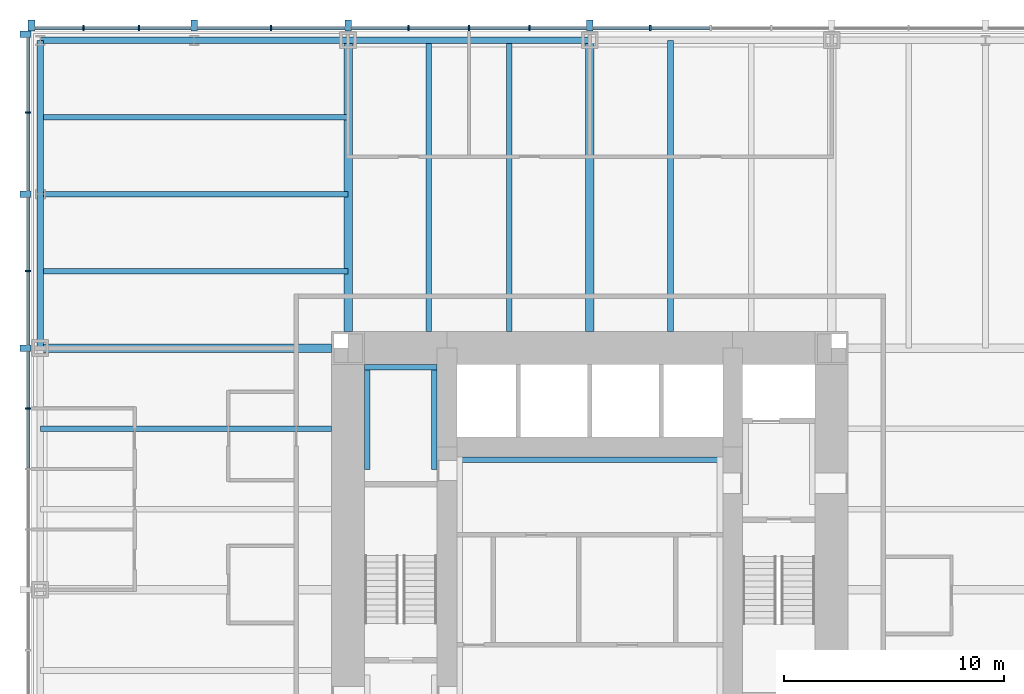
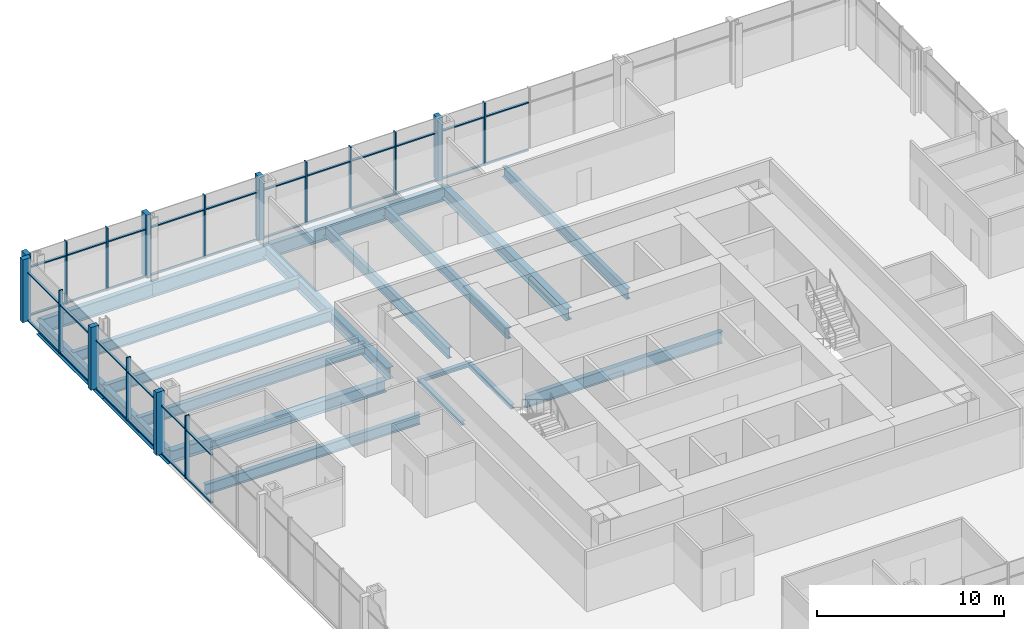
# One storey, part 5 of 12: 51 members, 19 beams, 2 elements without a shape of their own.
"""IFC4 building model written with IfcOpenShell, lengths in metres."""

from ifc_helpers import new_model, si_unit, direction, frame, origin, origin_2d, place, context, subcontext, project, spatial, rectangle, i_section, extrude, material, material_profile, profile_set, type_object, element, aggregate, save


model = new_model("IFC4")

# Units and contexts
model_context = context("Model", 3, precision=1e-05, world=origin(), true_north=direction((0.0, 1.0)))
body_context = subcontext(model_context, "Body", "Model", "MODEL_VIEW")
ifc_project = project(units=[si_unit("LENGTHUNIT", "METRE"), si_unit("AREAUNIT", "SQUARE_METRE"), si_unit("VOLUMEUNIT", "CUBIC_METRE"), si_unit("PLANEANGLEUNIT", "RADIAN"), si_unit("MASSUNIT", "GRAM", prefix="KILO")], contexts=[model_context])

# Site, building, storey
site_placement = place(None, origin())
site = spatial("IfcSite", under=ifc_project, at=site_placement, CompositionType="ELEMENT")
building_placement = place(site_placement, origin())
building = spatial("IfcBuilding", under=site, at=building_placement, Name="Trevanion Tower", CompositionType="ELEMENT")
storey_placement = place(building_placement, frame((0.0, 0.0, 65.199951171875)))
storey = spatial("IfcBuildingStorey", under=building, at=storey_placement, Name="L15", CompositionType="ELEMENT", Elevation=65.199951171875)

# Beams
ifc_material_1 = material(Name="Steel ASTM A992 Grade 50", Category="steel")
ifc_material_profile_1 = material_profile(ifc_material_1, i_section(OverallWidth=0.25390625, OverallDepth=0.700927734375, WebThickness=0.015380859375, FlangeThickness=0.02783203125, at=origin_2d()), Name="W27X129")
ifc_profile_set_1 = profile_set([ifc_material_profile_1], Name="Steel ASTM A992 Grade 50")
beam_type_1 = type_object("IfcBeamType", Name="B3 W27X129", PredefinedType="BEAM", material=ifc_profile_set_1)
for number, where, z_axis, x_axis, name in (
    (1, (3.666748046875, 11.75, -0.54052734375), (0.0, 1.0, 0.0), (-1.0, 0.0, 0.0), "B3 L15"),
    (2, (-3.666748046875, 11.75, -0.54052734375), (0.0, 1.0, 0.0), (-1.0, 0.0, 0.0), "B3 L15"),
    (3, (-7.333251953125, 11.75, -0.54052734375), (0.0, 1.0, 0.0), (-1.0, 0.0, 0.0), "B3 L15"),
    (4, (-11.75, 7.333251953125, -0.54052734375), (-1.0, 0.0, 0.0), (0.0, -1.0, 0.0), "B3 L15"),
):
    element("IfcBeam", number, at=place(storey_placement, frame(where, z_axis=z_axis, x_axis=x_axis)), inside=storey, type_object=beam_type_1, Name=name, PredefinedType="BEAM", context=body_context, shape_type="SweptSolid", body=[
        extrude(i_section(OverallWidth=0.25390625, OverallDepth=0.700927734375, WebThickness=0.015380859375, FlangeThickness=0.02783203125, at=origin_2d()), origin(), (0.0, 0.0, 1.0), 13.25),
    ])
ifc_material_2 = material(Name="Steel ASTM A992 Grade 50", Category="steel")
ifc_material_profile_2 = material_profile(ifc_material_2, i_section(OverallWidth=0.256591796875, OverallDepth=0.693359375, WebThickness=0.014404296875, FlangeThickness=0.023681640625, at=origin_2d()), Name="W27X114")
ifc_profile_set_2 = profile_set([ifc_material_profile_2], Name="Steel ASTM A992 Grade 50")
beam_type_2 = type_object("IfcBeamType", Name="B4 W27X114", PredefinedType="BEAM", material=ifc_profile_set_2)
for number, where, z_axis, x_axis, name in (
    (5, (-11.0, 14.5, -0.53662109375), (-1.0, 0.0, 0.0), (0.0, -1.0, 0.0), "B4 L15"),
    (6, (-11.0, 18.0, -0.53662109375), (-1.0, 0.0, 0.0), (0.0, -1.0, 0.0), "B4 L15"),
    (7, (-11.0, 21.5, -0.53662109375), (-1.0, 0.0, 0.0), (0.0, -1.0, 0.0), "B4 L15"),
):
    element("IfcBeam", number, at=place(storey_placement, frame(where, z_axis=z_axis, x_axis=x_axis)), inside=storey, type_object=beam_type_2, Name=name, PredefinedType="BEAM", context=body_context, shape_type="SweptSolid", body=[
        extrude(i_section(OverallWidth=0.256591796875, OverallDepth=0.693359375, WebThickness=0.014404296875, FlangeThickness=0.023681640625, at=origin_2d()), origin(), (0.0, 0.0, 1.0), 14.0),
    ])

# Curtain wall, members
ifc_material_3 = material(Name="Aluminium and glass", Category="aluminium")
curtain_wall_type = type_object("IfcCurtainWallType", Name="CW1 curtain wall", PredefinedType="USERDEFINED", material=ifc_material_3)
curtain_wall_1_placement = place(storey_placement, origin())
curtain_wall_1 = element("IfcCurtainWall", 8, at=curtain_wall_1_placement, inside=storey, type_object=curtain_wall_type, Name="CW1 L15 1", ObjectType="UNITISED CURTAIN WALL", PredefinedType="USERDEFINED")
ifc_material_4 = material(Name="Aluminium extrusion, anodised bronze", Category="aluminium")
ifc_material_profile_3 = material_profile(ifc_material_4, rectangle(XDim=0.074951171875, YDim=0.25, at=origin_2d()), Name="CW1 mullion")
ifc_profile_set_3 = profile_set([ifc_material_profile_3], Name="Aluminium extrusion, anodised bronze")
member_type_1 = type_object("IfcMemberType", Name="CW1 mullion", PredefinedType="MULLION", material=ifc_profile_set_3)
member_1_placement = place(storey_placement, frame((2.75, 25.550048828125, -0.18994140625), z_axis=(0.0, 0.0, 1.0), x_axis=(-1.0, 0.0, 0.0)))
member_1 = element("IfcMember", 9, at=member_1_placement, type_object=member_type_1, Name="CW1 mullion 8", PredefinedType="MULLION", context=body_context, shape_type="SweptSolid", body=[
    extrude(rectangle(XDim=0.074951171875, YDim=0.25, at=origin_2d()), origin(), (0.0, 0.0, 1.0), 4.10009765625),
])
member_2_placement = place(storey_placement, frame((-2.75, 25.550048828125, -0.18994140625), z_axis=(0.0, 0.0, 1.0), x_axis=(-1.0, 0.0, 0.0)))
member_2 = element("IfcMember", 10, at=member_2_placement, type_object=member_type_1, Name="CW1 mullion 10", PredefinedType="MULLION", context=body_context, shape_type="SweptSolid", body=[
    extrude(rectangle(XDim=0.074951171875, YDim=0.25, at=origin_2d()), origin(), (0.0, 0.0, 1.0), 4.10009765625),
])
member_3_placement = place(storey_placement, frame((-5.5, 25.550048828125, -0.18994140625), z_axis=(0.0, 0.0, 1.0), x_axis=(-1.0, 0.0, 0.0)))
member_3 = element("IfcMember", 11, at=member_3_placement, type_object=member_type_1, Name="CW1 mullion 11", PredefinedType="MULLION", context=body_context, shape_type="SweptSolid", body=[
    extrude(rectangle(XDim=0.074951171875, YDim=0.25, at=origin_2d()), origin(), (0.0, 0.0, 1.0), 4.10009765625),
])
member_4_placement = place(storey_placement, frame((-8.25, 25.550048828125, -0.18994140625), z_axis=(0.0, 0.0, 1.0), x_axis=(-1.0, 0.0, 0.0)))
member_4 = element("IfcMember", 12, at=member_4_placement, type_object=member_type_1, Name="CW1 mullion 12", PredefinedType="MULLION", context=body_context, shape_type="SweptSolid", body=[
    extrude(rectangle(XDim=0.074951171875, YDim=0.25, at=origin_2d()), origin(), (0.0, 0.0, 1.0), 4.10009765625),
])
member_5_placement = place(storey_placement, frame((-14.5, 25.550048828125, -0.18994140625), z_axis=(0.0, 0.0, 1.0), x_axis=(-1.0, 0.0, 0.0)))
member_5 = element("IfcMember", 13, at=member_5_placement, type_object=member_type_1, Name="CW1 mullion 14", PredefinedType="MULLION", context=body_context, shape_type="SweptSolid", body=[
    extrude(rectangle(XDim=0.074951171875, YDim=0.25, at=origin_2d()), origin(), (0.0, 0.0, 1.0), 4.10009765625),
])
member_6_placement = place(storey_placement, frame((-20.5166015625, 25.550048828125, -0.18994140625), z_axis=(0.0, 0.0, 1.0), x_axis=(-1.0, 0.0, 0.0)))
member_6 = element("IfcMember", 14, at=member_6_placement, type_object=member_type_1, Name="CW1 mullion 16", PredefinedType="MULLION", context=body_context, shape_type="SweptSolid", body=[
    extrude(rectangle(XDim=0.074951171875, YDim=0.25, at=origin_2d()), origin(), (0.0, 0.0, 1.0), 4.10009765625),
])
member_7_placement = place(storey_placement, frame((-23.033203125, 25.550048828125, -0.18994140625), z_axis=(0.0, 0.0, 1.0), x_axis=(-1.0, 0.0, 0.0)))
member_7 = element("IfcMember", 15, at=member_7_placement, type_object=member_type_1, Name="CW1 mullion 17", PredefinedType="MULLION", context=body_context, shape_type="SweptSolid", body=[
    extrude(rectangle(XDim=0.074951171875, YDim=0.25, at=origin_2d()), origin(), (0.0, 0.0, 1.0), 4.10009765625),
])

curtain_wall_2_placement = place(storey_placement, origin())
curtain_wall_2 = element("IfcCurtainWall", 16, at=curtain_wall_2_placement, inside=storey, type_object=curtain_wall_type, Name="CW1 L15 2", ObjectType="UNITISED CURTAIN WALL", PredefinedType="USERDEFINED")
member_8_placement = place(storey_placement, frame((-25.550048828125, 21.7099609375, -0.18994140625), z_axis=(0.0, 0.0, 1.0), x_axis=(0.0, -1.0, 0.0)))
member_8 = element("IfcMember", 17, at=member_8_placement, type_object=member_type_1, Name="CW1 mullion 2", PredefinedType="MULLION", context=body_context, shape_type="SweptSolid", body=[
    extrude(rectangle(XDim=0.074951171875, YDim=0.25, at=origin_2d()), origin(), (0.0, 0.0, 1.0), 4.10009765625),
])
member_9_placement = place(storey_placement, frame((-25.550048828125, 14.5, -0.18994140625), z_axis=(0.0, 0.0, 1.0), x_axis=(0.0, -1.0, 0.0)))
member_9 = element("IfcMember", 18, at=member_9_placement, type_object=member_type_1, Name="CW1 mullion 4", PredefinedType="MULLION", context=body_context, shape_type="SweptSolid", body=[
    extrude(rectangle(XDim=0.074951171875, YDim=0.25, at=origin_2d()), origin(), (0.0, 0.0, 1.0), 4.10009765625),
])
member_10_placement = place(storey_placement, frame((-25.550048828125, 8.25, -0.18994140625), z_axis=(0.0, 0.0, 1.0), x_axis=(0.0, -1.0, 0.0)))
member_10 = element("IfcMember", 19, at=member_10_placement, type_object=member_type_1, Name="CW1 mullion 6", PredefinedType="MULLION", context=body_context, shape_type="SweptSolid", body=[
    extrude(rectangle(XDim=0.074951171875, YDim=0.25, at=origin_2d()), origin(), (0.0, 0.0, 1.0), 4.10009765625),
])

# Member
ifc_material_5 = material(Name="Aluminium extrusion, anodised bronze", Category="aluminium")
ifc_material_profile_4 = material_profile(ifc_material_5, rectangle(XDim=0.300048828125, YDim=0.5, at=origin_2d()), Name="CW1 pier mullion")
ifc_profile_set_4 = profile_set([ifc_material_profile_4], Name="Aluminium extrusion, anodised bronze")
member_type_2 = type_object("IfcMemberType", Name="CW1 pier mullion", PredefinedType="MULLION", material=ifc_profile_set_4)
member_11_placement = place(storey_placement, frame((0.0, 25.675048828125, -0.18994140625), z_axis=(0.0, 0.0, 1.0), x_axis=(-1.0, 0.0, 0.0)))
member_11 = element("IfcMember", 20, at=member_11_placement, type_object=member_type_2, Name="CW1 pier mullion 9", PredefinedType="MULLION", context=body_context, shape_type="SweptSolid", body=[
    extrude(rectangle(XDim=0.300048828125, YDim=0.5, at=origin_2d()), origin(), (0.0, 0.0, 1.0), 4.10009765625),
])

member_12_placement = place(storey_placement, frame((-11.0, 25.675048828125, -0.18994140625), z_axis=(0.0, 0.0, 1.0), x_axis=(-1.0, 0.0, 0.0)))
member_12 = element("IfcMember", 21, at=member_12_placement, type_object=member_type_2, Name="CW1 pier mullion 13", PredefinedType="MULLION", context=body_context, shape_type="SweptSolid", body=[
    extrude(rectangle(XDim=0.300048828125, YDim=0.5, at=origin_2d()), origin(), (0.0, 0.0, 1.0), 4.10009765625),
])

member_13_placement = place(storey_placement, frame((-18.0, 25.675048828125, -0.18994140625), z_axis=(0.0, 0.0, 1.0), x_axis=(-1.0, 0.0, 0.0)))
member_13 = element("IfcMember", 22, at=member_13_placement, type_object=member_type_2, Name="CW1 pier mullion 15", PredefinedType="MULLION", context=body_context, shape_type="SweptSolid", body=[
    extrude(rectangle(XDim=0.300048828125, YDim=0.5, at=origin_2d()), origin(), (0.0, 0.0, 1.0), 4.10009765625),
])

member_14_placement = place(storey_placement, frame((-25.39990234375, 25.675048828125, -0.18994140625), z_axis=(0.0, 0.0, 1.0), x_axis=(-1.0, 0.0, 0.0)))
member_14 = element("IfcMember", 23, at=member_14_placement, type_object=member_type_2, Name="CW1 pier mullion 18", PredefinedType="MULLION", context=body_context, shape_type="SweptSolid", body=[
    extrude(rectangle(XDim=0.300048828125, YDim=0.5, at=origin_2d()), origin(), (0.0, 0.0, 1.0), 4.10009765625),
])

member_15_placement = place(storey_placement, frame((-25.675048828125, 25.27001953125, -0.18994140625), z_axis=(0.0, 0.0, 1.0), x_axis=(0.0, -1.0, 0.0)))
member_15 = element("IfcMember", 24, at=member_15_placement, type_object=member_type_2, Name="CW1 pier mullion 1", PredefinedType="MULLION", context=body_context, shape_type="SweptSolid", body=[
    extrude(rectangle(XDim=0.300048828125, YDim=0.5, at=origin_2d()), origin(), (0.0, 0.0, 1.0), 4.10009765625),
])

member_16_placement = place(storey_placement, frame((-25.675048828125, 18.0, -0.18994140625), z_axis=(0.0, 0.0, 1.0), x_axis=(0.0, -1.0, 0.0)))
member_16 = element("IfcMember", 25, at=member_16_placement, type_object=member_type_2, Name="CW1 pier mullion 3", PredefinedType="MULLION", context=body_context, shape_type="SweptSolid", body=[
    extrude(rectangle(XDim=0.300048828125, YDim=0.5, at=origin_2d()), origin(), (0.0, 0.0, 1.0), 4.10009765625),
])

member_17_placement = place(storey_placement, frame((-25.675048828125, 11.0, -0.18994140625), z_axis=(0.0, 0.0, 1.0), x_axis=(0.0, -1.0, 0.0)))
member_17 = element("IfcMember", 26, at=member_17_placement, type_object=member_type_2, Name="CW1 pier mullion 5", PredefinedType="MULLION", context=body_context, shape_type="SweptSolid", body=[
    extrude(rectangle(XDim=0.300048828125, YDim=0.5, at=origin_2d()), origin(), (0.0, 0.0, 1.0), 4.10009765625),
])

ifc_material_6 = material(Name="Aluminium extrusion, anodised bronze", Category="aluminium")
ifc_material_profile_5 = material_profile(ifc_material_6, rectangle(XDim=0.14990234375, YDim=0.074951171875, at=origin_2d()), Name="CW1 transom")
ifc_profile_set_5 = profile_set([ifc_material_profile_5], Name="Aluminium extrusion, anodised bronze")
member_type_3 = type_object("IfcMemberType", Name="CW1 transom", PredefinedType="USERDEFINED", material=ifc_profile_set_5)
member_18_placement = place(storey_placement, frame((5.46240234375, 25.550048828125, -0.15234375), z_axis=(-1.0, 0.0, 0.0), x_axis=(0.0, -1.0, 0.0)))
member_18 = element("IfcMember", 27, at=member_18_placement, type_object=member_type_3, Name="CW1 transom 7.1", ObjectType="TRANSOM", PredefinedType="USERDEFINED", context=body_context, shape_type="SweptSolid", body=[
    extrude(rectangle(XDim=0.14990234375, YDim=0.074951171875, at=origin_2d()), origin(), (0.0, 0.0, 1.0), 2.6748046875),
])

member_19_placement = place(storey_placement, frame((5.46240234375, 25.550048828125, 2.9599609375), z_axis=(-1.0, 0.0, 0.0), x_axis=(0.0, -1.0, 0.0)))
member_19 = element("IfcMember", 28, at=member_19_placement, type_object=member_type_3, Name="CW1 transom 7.2", ObjectType="TRANSOM", PredefinedType="USERDEFINED", context=body_context, shape_type="SweptSolid", body=[
    extrude(rectangle(XDim=0.14990234375, YDim=0.074951171875, at=origin_2d()), origin(), (0.0, 0.0, 1.0), 2.6748046875),
])

member_20_placement = place(storey_placement, frame((2.71240234375, 25.550048828125, -0.15234375), z_axis=(-1.0, 0.0, 0.0), x_axis=(0.0, -1.0, 0.0)))
member_20 = element("IfcMember", 29, at=member_20_placement, type_object=member_type_3, Name="CW1 transom 8.1", ObjectType="TRANSOM", PredefinedType="USERDEFINED", context=body_context, shape_type="SweptSolid", body=[
    extrude(rectangle(XDim=0.14990234375, YDim=0.074951171875, at=origin_2d()), origin(), (0.0, 0.0, 1.0), 2.5625),
])

member_21_placement = place(storey_placement, frame((2.71240234375, 25.550048828125, 2.9599609375), z_axis=(-1.0, 0.0, 0.0), x_axis=(0.0, -1.0, 0.0)))
member_21 = element("IfcMember", 30, at=member_21_placement, type_object=member_type_3, Name="CW1 transom 8.2", ObjectType="TRANSOM", PredefinedType="USERDEFINED", context=body_context, shape_type="SweptSolid", body=[
    extrude(rectangle(XDim=0.14990234375, YDim=0.074951171875, at=origin_2d()), origin(), (0.0, 0.0, 1.0), 2.5625),
])

member_22_placement = place(storey_placement, frame((-0.14990234375, 25.550048828125, -0.15234375), z_axis=(-1.0, 0.0, 0.0), x_axis=(0.0, -1.0, 0.0)))
member_22 = element("IfcMember", 31, at=member_22_placement, type_object=member_type_3, Name="CW1 transom 9.1", ObjectType="TRANSOM", PredefinedType="USERDEFINED", context=body_context, shape_type="SweptSolid", body=[
    extrude(rectangle(XDim=0.14990234375, YDim=0.074951171875, at=origin_2d()), origin(), (0.0, 0.0, 1.0), 2.5625),
])

member_23_placement = place(storey_placement, frame((-0.14990234375, 25.550048828125, 2.9599609375), z_axis=(-1.0, 0.0, 0.0), x_axis=(0.0, -1.0, 0.0)))
member_23 = element("IfcMember", 32, at=member_23_placement, type_object=member_type_3, Name="CW1 transom 9.2", ObjectType="TRANSOM", PredefinedType="USERDEFINED", context=body_context, shape_type="SweptSolid", body=[
    extrude(rectangle(XDim=0.14990234375, YDim=0.074951171875, at=origin_2d()), origin(), (0.0, 0.0, 1.0), 2.5625),
])

member_24_placement = place(storey_placement, frame((-2.78759765625, 25.550048828125, -0.15234375), z_axis=(-1.0, 0.0, 0.0), x_axis=(0.0, -1.0, 0.0)))
member_24 = element("IfcMember", 33, at=member_24_placement, type_object=member_type_3, Name="CW1 transom 10.1", ObjectType="TRANSOM", PredefinedType="USERDEFINED", context=body_context, shape_type="SweptSolid", body=[
    extrude(rectangle(XDim=0.14990234375, YDim=0.074951171875, at=origin_2d()), origin(), (0.0, 0.0, 1.0), 2.6748046875),
])

member_25_placement = place(storey_placement, frame((-2.78759765625, 25.550048828125, 2.9599609375), z_axis=(-1.0, 0.0, 0.0), x_axis=(0.0, -1.0, 0.0)))
member_25 = element("IfcMember", 34, at=member_25_placement, type_object=member_type_3, Name="CW1 transom 10.2", ObjectType="TRANSOM", PredefinedType="USERDEFINED", context=body_context, shape_type="SweptSolid", body=[
    extrude(rectangle(XDim=0.14990234375, YDim=0.074951171875, at=origin_2d()), origin(), (0.0, 0.0, 1.0), 2.6748046875),
])

member_26_placement = place(storey_placement, frame((-5.53759765625, 25.550048828125, -0.15234375), z_axis=(-1.0, 0.0, 0.0), x_axis=(0.0, -1.0, 0.0)))
member_26 = element("IfcMember", 35, at=member_26_placement, type_object=member_type_3, Name="CW1 transom 11.1", ObjectType="TRANSOM", PredefinedType="USERDEFINED", context=body_context, shape_type="SweptSolid", body=[
    extrude(rectangle(XDim=0.14990234375, YDim=0.074951171875, at=origin_2d()), origin(), (0.0, 0.0, 1.0), 2.6748046875),
])

member_27_placement = place(storey_placement, frame((-5.53759765625, 25.550048828125, 2.9599609375), z_axis=(-1.0, 0.0, 0.0), x_axis=(0.0, -1.0, 0.0)))
member_27 = element("IfcMember", 36, at=member_27_placement, type_object=member_type_3, Name="CW1 transom 11.2", ObjectType="TRANSOM", PredefinedType="USERDEFINED", context=body_context, shape_type="SweptSolid", body=[
    extrude(rectangle(XDim=0.14990234375, YDim=0.074951171875, at=origin_2d()), origin(), (0.0, 0.0, 1.0), 2.6748046875),
])

member_28_placement = place(storey_placement, frame((-8.28759765625, 25.550048828125, -0.15234375), z_axis=(-1.0, 0.0, 0.0), x_axis=(0.0, -1.0, 0.0)))
member_28 = element("IfcMember", 37, at=member_28_placement, type_object=member_type_3, Name="CW1 transom 12.1", ObjectType="TRANSOM", PredefinedType="USERDEFINED", context=body_context, shape_type="SweptSolid", body=[
    extrude(rectangle(XDim=0.14990234375, YDim=0.074951171875, at=origin_2d()), origin(), (0.0, 0.0, 1.0), 2.5625),
])

member_29_placement = place(storey_placement, frame((-8.28759765625, 25.550048828125, 2.9599609375), z_axis=(-1.0, 0.0, 0.0), x_axis=(0.0, -1.0, 0.0)))
member_29 = element("IfcMember", 38, at=member_29_placement, type_object=member_type_3, Name="CW1 transom 12.2", ObjectType="TRANSOM", PredefinedType="USERDEFINED", context=body_context, shape_type="SweptSolid", body=[
    extrude(rectangle(XDim=0.14990234375, YDim=0.074951171875, at=origin_2d()), origin(), (0.0, 0.0, 1.0), 2.5625),
])

member_30_placement = place(storey_placement, frame((-11.14990234375, 25.550048828125, -0.15234375), z_axis=(-1.0, 0.0, 0.0), x_axis=(0.0, -1.0, 0.0)))
member_30 = element("IfcMember", 39, at=member_30_placement, type_object=member_type_3, Name="CW1 transom 13.1", ObjectType="TRANSOM", PredefinedType="USERDEFINED", context=body_context, shape_type="SweptSolid", body=[
    extrude(rectangle(XDim=0.14990234375, YDim=0.074951171875, at=origin_2d()), origin(), (0.0, 0.0, 1.0), 3.3125),
])

member_31_placement = place(storey_placement, frame((-11.14990234375, 25.550048828125, 2.9599609375), z_axis=(-1.0, 0.0, 0.0), x_axis=(0.0, -1.0, 0.0)))
member_31 = element("IfcMember", 40, at=member_31_placement, type_object=member_type_3, Name="CW1 transom 13.2", ObjectType="TRANSOM", PredefinedType="USERDEFINED", context=body_context, shape_type="SweptSolid", body=[
    extrude(rectangle(XDim=0.14990234375, YDim=0.074951171875, at=origin_2d()), origin(), (0.0, 0.0, 1.0), 3.3125),
])

member_32_placement = place(storey_placement, frame((-14.53759765625, 25.550048828125, -0.15234375), z_axis=(-1.0, 0.0, 0.0), x_axis=(0.0, -1.0, 0.0)))
member_32 = element("IfcMember", 41, at=member_32_placement, type_object=member_type_3, Name="CW1 transom 14.1", ObjectType="TRANSOM", PredefinedType="USERDEFINED", context=body_context, shape_type="SweptSolid", body=[
    extrude(rectangle(XDim=0.14990234375, YDim=0.074951171875, at=origin_2d()), origin(), (0.0, 0.0, 1.0), 3.3125),
])

member_33_placement = place(storey_placement, frame((-14.53759765625, 25.550048828125, 2.9599609375), z_axis=(-1.0, 0.0, 0.0), x_axis=(0.0, -1.0, 0.0)))
member_33 = element("IfcMember", 42, at=member_33_placement, type_object=member_type_3, Name="CW1 transom 14.2", ObjectType="TRANSOM", PredefinedType="USERDEFINED", context=body_context, shape_type="SweptSolid", body=[
    extrude(rectangle(XDim=0.14990234375, YDim=0.074951171875, at=origin_2d()), origin(), (0.0, 0.0, 1.0), 3.3125),
])

member_34_placement = place(storey_placement, frame((-18.14990234375, 25.550048828125, -0.15234375), z_axis=(-1.0, 0.0, 0.0), x_axis=(0.0, -1.0, 0.0)))
member_34 = element("IfcMember", 43, at=member_34_placement, type_object=member_type_3, Name="CW1 transom 15.1", ObjectType="TRANSOM", PredefinedType="USERDEFINED", context=body_context, shape_type="SweptSolid", body=[
    extrude(rectangle(XDim=0.14990234375, YDim=0.074951171875, at=origin_2d()), origin(), (0.0, 0.0, 1.0), 2.329345703125),
])

member_35_placement = place(storey_placement, frame((-18.14990234375, 25.550048828125, 2.9599609375), z_axis=(-1.0, 0.0, 0.0), x_axis=(0.0, -1.0, 0.0)))
member_35 = element("IfcMember", 44, at=member_35_placement, type_object=member_type_3, Name="CW1 transom 15.2", ObjectType="TRANSOM", PredefinedType="USERDEFINED", context=body_context, shape_type="SweptSolid", body=[
    extrude(rectangle(XDim=0.14990234375, YDim=0.074951171875, at=origin_2d()), origin(), (0.0, 0.0, 1.0), 2.329345703125),
])

member_36_placement = place(storey_placement, frame((-20.55419921875, 25.550048828125, -0.15234375), z_axis=(-1.0, 0.0, 0.0), x_axis=(0.0, -1.0, 0.0)))
member_36 = element("IfcMember", 45, at=member_36_placement, type_object=member_type_3, Name="CW1 transom 16.1", ObjectType="TRANSOM", PredefinedType="USERDEFINED", context=body_context, shape_type="SweptSolid", body=[
    extrude(rectangle(XDim=0.14990234375, YDim=0.074951171875, at=origin_2d()), origin(), (0.0, 0.0, 1.0), 2.441650390625),
])

member_37_placement = place(storey_placement, frame((-20.55419921875, 25.550048828125, 2.9599609375), z_axis=(-1.0, 0.0, 0.0), x_axis=(0.0, -1.0, 0.0)))
member_37 = element("IfcMember", 46, at=member_37_placement, type_object=member_type_3, Name="CW1 transom 16.2", ObjectType="TRANSOM", PredefinedType="USERDEFINED", context=body_context, shape_type="SweptSolid", body=[
    extrude(rectangle(XDim=0.14990234375, YDim=0.074951171875, at=origin_2d()), origin(), (0.0, 0.0, 1.0), 2.441650390625),
])

member_38_placement = place(storey_placement, frame((-23.07080078125, 25.550048828125, -0.15234375), z_axis=(-1.0, 0.0, 0.0), x_axis=(0.0, -1.0, 0.0)))
member_38 = element("IfcMember", 47, at=member_38_placement, type_object=member_type_3, Name="CW1 transom 17.1", ObjectType="TRANSOM", PredefinedType="USERDEFINED", context=body_context, shape_type="SweptSolid", body=[
    extrude(rectangle(XDim=0.14990234375, YDim=0.074951171875, at=origin_2d()), origin(), (0.0, 0.0, 1.0), 2.17919921875),
])

member_39_placement = place(storey_placement, frame((-23.07080078125, 25.550048828125, 2.9599609375), z_axis=(-1.0, 0.0, 0.0), x_axis=(0.0, -1.0, 0.0)))
member_39 = element("IfcMember", 48, at=member_39_placement, type_object=member_type_3, Name="CW1 transom 17.2", ObjectType="TRANSOM", PredefinedType="USERDEFINED", context=body_context, shape_type="SweptSolid", body=[
    extrude(rectangle(XDim=0.14990234375, YDim=0.074951171875, at=origin_2d()), origin(), (0.0, 0.0, 1.0), 2.17919921875),
])

aggregate(curtain_wall_1, [member_1, member_11, member_2, member_3, member_4, member_12, member_5, member_13, member_6, member_7, member_14, member_18, member_19, member_20, member_21, member_22, member_23, member_24, member_25, member_26, member_27, member_28, member_29, member_30, member_31, member_32, member_33, member_34, member_35, member_36, member_37, member_38, member_39])

member_40_placement = place(storey_placement, frame((-25.550048828125, 25.1201171875, -0.15234375), z_axis=(0.0, -1.0, 0.0), x_axis=(1.0, 0.0, 0.0)))
member_40 = element("IfcMember", 49, at=member_40_placement, type_object=member_type_3, Name="CW1 transom 1.1", ObjectType="TRANSOM", PredefinedType="USERDEFINED", context=body_context, shape_type="SweptSolid", body=[
    extrude(rectangle(XDim=0.14990234375, YDim=0.074951171875, at=origin_2d()), origin(), (0.0, 0.0, 1.0), 3.37255859375),
])

member_41_placement = place(storey_placement, frame((-25.550048828125, 25.1201171875, 2.9599609375), z_axis=(0.0, -1.0, 0.0), x_axis=(1.0, 0.0, 0.0)))
member_41 = element("IfcMember", 50, at=member_41_placement, type_object=member_type_3, Name="CW1 transom 1.2", ObjectType="TRANSOM", PredefinedType="USERDEFINED", context=body_context, shape_type="SweptSolid", body=[
    extrude(rectangle(XDim=0.14990234375, YDim=0.074951171875, at=origin_2d()), origin(), (0.0, 0.0, 1.0), 3.37255859375),
])

member_42_placement = place(storey_placement, frame((-25.550048828125, 21.672607421875, -0.15234375), z_axis=(0.0, -1.0, 0.0), x_axis=(1.0, 0.0, 0.0)))
member_42 = element("IfcMember", 51, at=member_42_placement, type_object=member_type_3, Name="CW1 transom 2.1", ObjectType="TRANSOM", PredefinedType="USERDEFINED", context=body_context, shape_type="SweptSolid", body=[
    extrude(rectangle(XDim=0.14990234375, YDim=0.074951171875, at=origin_2d()), origin(), (0.0, 0.0, 1.0), 3.522705078125),
])

member_43_placement = place(storey_placement, frame((-25.550048828125, 21.672607421875, 2.9599609375), z_axis=(0.0, -1.0, 0.0), x_axis=(1.0, 0.0, 0.0)))
member_43 = element("IfcMember", 52, at=member_43_placement, type_object=member_type_3, Name="CW1 transom 2.2", ObjectType="TRANSOM", PredefinedType="USERDEFINED", context=body_context, shape_type="SweptSolid", body=[
    extrude(rectangle(XDim=0.14990234375, YDim=0.074951171875, at=origin_2d()), origin(), (0.0, 0.0, 1.0), 3.522705078125),
])

member_44_placement = place(storey_placement, frame((-25.550048828125, 17.85009765625, -0.15234375), z_axis=(0.0, -1.0, 0.0), x_axis=(1.0, 0.0, 0.0)))
member_44 = element("IfcMember", 53, at=member_44_placement, type_object=member_type_3, Name="CW1 transom 3.1", ObjectType="TRANSOM", PredefinedType="USERDEFINED", context=body_context, shape_type="SweptSolid", body=[
    extrude(rectangle(XDim=0.14990234375, YDim=0.074951171875, at=origin_2d()), origin(), (0.0, 0.0, 1.0), 3.3125),
])

member_45_placement = place(storey_placement, frame((-25.550048828125, 17.85009765625, 2.9599609375), z_axis=(0.0, -1.0, 0.0), x_axis=(1.0, 0.0, 0.0)))
member_45 = element("IfcMember", 54, at=member_45_placement, type_object=member_type_3, Name="CW1 transom 3.2", ObjectType="TRANSOM", PredefinedType="USERDEFINED", context=body_context, shape_type="SweptSolid", body=[
    extrude(rectangle(XDim=0.14990234375, YDim=0.074951171875, at=origin_2d()), origin(), (0.0, 0.0, 1.0), 3.3125),
])

member_46_placement = place(storey_placement, frame((-25.550048828125, 14.46240234375, -0.15234375), z_axis=(0.0, -1.0, 0.0), x_axis=(1.0, 0.0, 0.0)))
member_46 = element("IfcMember", 55, at=member_46_placement, type_object=member_type_3, Name="CW1 transom 4.1", ObjectType="TRANSOM", PredefinedType="USERDEFINED", context=body_context, shape_type="SweptSolid", body=[
    extrude(rectangle(XDim=0.14990234375, YDim=0.074951171875, at=origin_2d()), origin(), (0.0, 0.0, 1.0), 3.3125),
])

member_47_placement = place(storey_placement, frame((-25.550048828125, 14.46240234375, 2.9599609375), z_axis=(0.0, -1.0, 0.0), x_axis=(1.0, 0.0, 0.0)))
member_47 = element("IfcMember", 56, at=member_47_placement, type_object=member_type_3, Name="CW1 transom 4.2", ObjectType="TRANSOM", PredefinedType="USERDEFINED", context=body_context, shape_type="SweptSolid", body=[
    extrude(rectangle(XDim=0.14990234375, YDim=0.074951171875, at=origin_2d()), origin(), (0.0, 0.0, 1.0), 3.3125),
])

member_48_placement = place(storey_placement, frame((-25.550048828125, 10.85009765625, -0.15234375), z_axis=(0.0, -1.0, 0.0), x_axis=(1.0, 0.0, 0.0)))
member_48 = element("IfcMember", 57, at=member_48_placement, type_object=member_type_3, Name="CW1 transom 5.1", ObjectType="TRANSOM", PredefinedType="USERDEFINED", context=body_context, shape_type="SweptSolid", body=[
    extrude(rectangle(XDim=0.14990234375, YDim=0.074951171875, at=origin_2d()), origin(), (0.0, 0.0, 1.0), 2.5625),
])

member_49_placement = place(storey_placement, frame((-25.550048828125, 10.85009765625, 2.9599609375), z_axis=(0.0, -1.0, 0.0), x_axis=(1.0, 0.0, 0.0)))
member_49 = element("IfcMember", 58, at=member_49_placement, type_object=member_type_3, Name="CW1 transom 5.2", ObjectType="TRANSOM", PredefinedType="USERDEFINED", context=body_context, shape_type="SweptSolid", body=[
    extrude(rectangle(XDim=0.14990234375, YDim=0.074951171875, at=origin_2d()), origin(), (0.0, 0.0, 1.0), 2.5625),
])

member_50_placement = place(storey_placement, frame((-25.550048828125, 8.21240234375, -0.15234375), z_axis=(0.0, -1.0, 0.0), x_axis=(1.0, 0.0, 0.0)))
member_50 = element("IfcMember", 59, at=member_50_placement, type_object=member_type_3, Name="CW1 transom 6.1", ObjectType="TRANSOM", PredefinedType="USERDEFINED", context=body_context, shape_type="SweptSolid", body=[
    extrude(rectangle(XDim=0.14990234375, YDim=0.074951171875, at=origin_2d()), origin(), (0.0, 0.0, 1.0), 2.6748046875),
])

member_51_placement = place(storey_placement, frame((-25.550048828125, 8.21240234375, 2.9599609375), z_axis=(0.0, -1.0, 0.0), x_axis=(1.0, 0.0, 0.0)))
member_51 = element("IfcMember", 60, at=member_51_placement, type_object=member_type_3, Name="CW1 transom 6.2", ObjectType="TRANSOM", PredefinedType="USERDEFINED", context=body_context, shape_type="SweptSolid", body=[
    extrude(rectangle(XDim=0.14990234375, YDim=0.074951171875, at=origin_2d()), origin(), (0.0, 0.0, 1.0), 2.6748046875),
])

aggregate(curtain_wall_2, [member_15, member_8, member_16, member_9, member_17, member_10, member_40, member_41, member_42, member_43, member_44, member_45, member_46, member_47, member_48, member_49, member_50, member_51])

# Beams
ifc_material_7 = material(Name="Steel ASTM A992 Grade 50", Category="steel")
ifc_material_profile_6 = material_profile(ifc_material_7, i_section(OverallWidth=0.381103515625, OverallDepth=0.77978515625, WebThickness=0.01806640625, FlangeThickness=0.0302734375, at=origin_2d()), Name="W30X191")
ifc_profile_set_6 = profile_set([ifc_material_profile_6], Name="Steel ASTM A992 Grade 50")
beam_type_3 = type_object("IfcBeamType", Name="G2 W30X191", PredefinedType="BEAM", material=ifc_profile_set_6)
for number, where, z_axis, x_axis, name in (
    (61, (0.0, 11.75, -0.579833984375), (0.0, 1.0, 0.0), (-1.0, 0.0, 0.0), "G2 L15"),
    (62, (-11.0, 11.75, -0.579833984375), (0.0, 1.0, 0.0), (-1.0, 0.0, 0.0), "G2 L15"),
    (63, (-11.75, 11.0, -0.579833984375), (-1.0, 0.0, 0.0), (0.0, -1.0, 0.0), "G2 L15"),
):
    element("IfcBeam", number, at=place(storey_placement, frame(where, z_axis=z_axis, x_axis=x_axis)), inside=storey, type_object=beam_type_3, Name=name, PredefinedType="BEAM", context=body_context, shape_type="SweptSolid", body=[
        extrude(i_section(OverallWidth=0.381103515625, OverallDepth=0.77978515625, WebThickness=0.01806640625, FlangeThickness=0.0302734375, at=origin_2d()), origin(), (0.0, 0.0, 1.0), 13.25),
    ])
ifc_material_8 = material(Name="Steel ASTM A992 Grade 50", Category="steel")
ifc_material_profile_7 = material_profile(ifc_material_8, i_section(OverallWidth=0.256591796875, OverallDepth=0.26416015625, WebThickness=0.011962890625, FlangeThickness=0.01953125, at=origin_2d()), Name="W10X68")
ifc_profile_set_7 = profile_set([ifc_material_profile_7], Name="Steel ASTM A992 Grade 50")
beam_type_4 = type_object("IfcBeamType", Name="LB1 W10X68", PredefinedType="BEAM", material=ifc_profile_set_7)
for number, where, z_axis, x_axis, name in (
    (64, (-10.12158203125, 5.47509765625, -0.33203125), (0.0, 1.0, 0.0), (-1.0, 0.0, 0.0), "LB1 L15"),
    (65, (-7.078369140625, 5.47509765625, -0.33203125), (0.0, 1.0, 0.0), (-1.0, 0.0, 0.0), "LB1 L15"),
):
    element("IfcBeam", number, at=place(storey_placement, frame(where, z_axis=z_axis, x_axis=x_axis)), inside=storey, type_object=beam_type_4, Name=name, PredefinedType="BEAM", context=body_context, shape_type="SweptSolid", body=[
        extrude(i_section(OverallWidth=0.256591796875, OverallDepth=0.26416015625, WebThickness=0.011962890625, FlangeThickness=0.01953125, at=origin_2d()), origin(), (0.0, 0.0, 1.0), 4.77490234375),
    ])
beam_1_placement = place(storey_placement, frame((-10.25, 10.12158203125, -0.33203125), z_axis=(1.0, 0.0, 0.0), x_axis=(0.0, 1.0, 0.0)))
element("IfcBeam", 66, at=beam_1_placement, inside=storey, type_object=beam_type_4, Name="LB1 L15", PredefinedType="BEAM", context=body_context, shape_type="SweptSolid", body=[
    extrude(i_section(OverallWidth=0.256591796875, OverallDepth=0.26416015625, WebThickness=0.011962890625, FlangeThickness=0.01953125, at=origin_2d()), origin(), (0.0, 0.0, 1.0), 3.300048828125),
])
ifc_material_9 = material(Name="Steel ASTM A992 Grade 50", Category="steel")
ifc_material_profile_8 = material_profile(ifc_material_9, i_section(OverallWidth=0.2666015625, OverallDepth=0.76953125, WebThickness=0.015625, FlangeThickness=0.025390625, at=origin_2d()), Name="W30X132")
ifc_profile_set_8 = profile_set([ifc_material_profile_8], Name="Steel ASTM A992 Grade 50")
beam_type_5 = type_object("IfcBeamType", Name="LB3 W30X132", PredefinedType="BEAM", material=ifc_profile_set_8)
beam_2_placement = place(storey_placement, frame((-6.050048828125, 5.91650390625, -0.584716796875), z_axis=(1.0, 0.0, 0.0), x_axis=(0.0, 1.0, 0.0)))
element("IfcBeam", 67, at=beam_2_placement, inside=storey, type_object=beam_type_5, Name="LB3 L15", PredefinedType="BEAM", context=body_context, shape_type="SweptSolid", body=[
    extrude(i_section(OverallWidth=0.2666015625, OverallDepth=0.76953125, WebThickness=0.015625, FlangeThickness=0.025390625, at=origin_2d()), origin(), (0.0, 0.0, 1.0), 12.10009765625),
])
ifc_material_10 = material(Name="Steel ASTM A992 Grade 50", Category="steel")
ifc_material_profile_9 = material_profile(ifc_material_10, i_section(OverallWidth=0.307373046875, OverallDepth=0.927001953125, WebThickness=0.01953125, FlangeThickness=0.031982421875, at=origin_2d()), Name="W36X194")
ifc_profile_set_9 = profile_set([ifc_material_profile_9], Name="Steel ASTM A992 Grade 50")
beam_type_6 = type_object("IfcBeamType", Name="SB2 W36X194", PredefinedType="SPANDREL", material=ifc_profile_set_9)
beam_3_placement = place(storey_placement, frame((0.0, 25.0, -0.653564453125), z_axis=(-1.0, 0.0, 0.0), x_axis=(0.0, -1.0, 0.0)))
element("IfcBeam", 68, at=beam_3_placement, inside=storey, type_object=beam_type_6, Name="SB2 L15", PredefinedType="SPANDREL", context=body_context, shape_type="SweptSolid", body=[
    extrude(i_section(OverallWidth=0.307373046875, OverallDepth=0.927001953125, WebThickness=0.01953125, FlangeThickness=0.031982421875, at=origin_2d()), origin(), (0.0, 0.0, 1.0), 11.0),
])
for number, where, z_axis, x_axis, name in (
    (69, (-11.0, 25.0, -0.653564453125), (-1.0, 0.0, 0.0), (0.0, -1.0, 0.0), "SB2 L15"),
    (70, (-18.0, 25.0, -0.653564453125), (-1.0, 0.0, 0.0), (0.0, -1.0, 0.0), "SB2 L15"),
    (71, (-25.0, 25.0, -0.653564453125), (0.0, -1.0, 0.0), (1.0, 0.0, 0.0), "SB2 L15"),
    (72, (-25.0, 18.0, -0.653564453125), (0.0, -1.0, 0.0), (1.0, 0.0, 0.0), "SB2 L15"),
):
    element("IfcBeam", number, at=place(storey_placement, frame(where, z_axis=z_axis, x_axis=x_axis)), inside=storey, type_object=beam_type_6, Name=name, PredefinedType="SPANDREL", context=body_context, shape_type="SweptSolid", body=[
        extrude(i_section(OverallWidth=0.307373046875, OverallDepth=0.927001953125, WebThickness=0.01953125, FlangeThickness=0.031982421875, at=origin_2d()), origin(), (0.0, 0.0, 1.0), 7.0),
    ])

save(model, "model.ifc")
